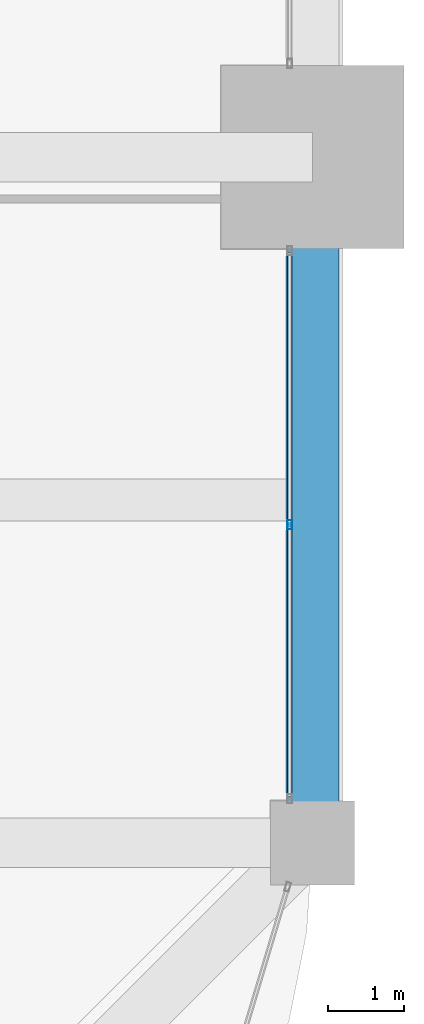
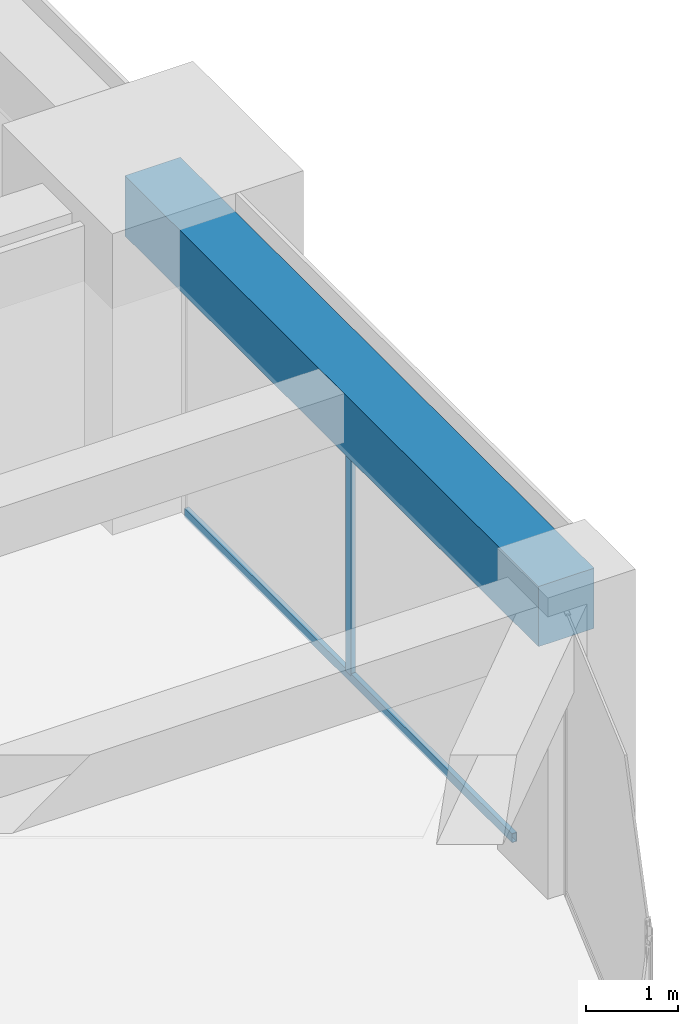
# One storey, part 23 of 45: 2 members, 1 beam, 1 element without a shape of its own.
"""IFC4 building model written with IfcOpenShell, lengths in metres."""

from ifc_helpers import new_model, si_unit, direction, frame, origin, origin_2d, place, context, subcontext, project, spatial, rectangle, hollow_rectangle, extrude, material, material_profile, profile_set, type_object, element, aggregate, save


model = new_model("IFC4")

# Units and contexts
model_context = context("Model", 3, precision=1e-05, world=origin(), true_north=direction((0.0, 1.0)))
body_context = subcontext(model_context, "Body", "Model", "MODEL_VIEW")
ifc_project = project(units=[si_unit("LENGTHUNIT", "METRE"), si_unit("AREAUNIT", "SQUARE_METRE"), si_unit("VOLUMEUNIT", "CUBIC_METRE"), si_unit("PLANEANGLEUNIT", "RADIAN"), si_unit("MASSUNIT", "GRAM", prefix="KILO")], contexts=[model_context])

# Site, building, storey
site_placement = place(None, origin())
site = spatial("IfcSite", under=ifc_project, at=site_placement, CompositionType="ELEMENT")
building_placement = place(site_placement, origin())
building = spatial("IfcBuilding", under=site, at=building_placement, Name="Zorevar Civic Tower", CompositionType="ELEMENT")
storey_placement = place(building_placement, frame((0.0, 0.0, 247.39990234375)))
storey = spatial("IfcBuildingStorey", under=building, at=storey_placement, Name="L60", CompositionType="ELEMENT", Elevation=247.39990234375)

# Curtain wall, members
ifc_material_1 = material(Name="Dark grey solar-control glass in black aluminium frame", Category="aluminium")
curtain_wall_type = type_object("IfcCurtainWallType", Name="Curtain wall CW5 top zone", PredefinedType="NOTDEFINED", material=ifc_material_1)
curtain_wall_placement = place(storey_placement, origin())
curtain_wall = element("IfcCurtainWall", 1, at=curtain_wall_placement, inside=storey, type_object=curtain_wall_type, Name="CW5 L60", PredefinedType="NOTDEFINED")
ifc_material_2 = material(Name="Aluminium, black anodised", Category="aluminium")
ifc_material_profile_1 = material_profile(ifc_material_2, hollow_rectangle(XDim=0.06005859375, YDim=0.1201171875, WallThickness=0.0029296875, at=origin_2d()), Name="AL 120x60x3")
ifc_profile_set_1 = profile_set([ifc_material_profile_1], Name="Aluminium, black anodised")
member_type_1 = type_object("IfcMemberType", Name="CW5 mullion AL 120x60x3", PredefinedType="MULLION", material=ifc_profile_set_1)
member_1_placement = place(storey_placement, frame((53.699951171875, 13.175048828125, 0.06005859375), z_axis=(0.0, 0.0, 1.0), x_axis=(-1.0, 0.0, 0.0)))
member_1 = element("IfcMember", 2, at=member_1_placement, type_object=member_type_1, Name="CW5 mullion 2", PredefinedType="MULLION", context=body_context, shape_type="SweptSolid", body=[
    extrude(hollow_rectangle(XDim=0.06005859375, YDim=0.1201171875, WallThickness=0.0029296875, at=origin_2d()), origin(), (0.0, 0.0, 1.0), 2.89013671875),
])
ifc_material_3 = material(Name="Aluminium, black anodised", Category="aluminium")
ifc_material_profile_2 = material_profile(ifc_material_3, hollow_rectangle(XDim=0.06005859375, YDim=0.1201171875, WallThickness=0.0029296875, at=origin_2d()), Name="AL 120x60x3")
ifc_profile_set_2 = profile_set([ifc_material_profile_2], Name="Aluminium, black anodised")
member_type_2 = type_object("IfcMemberType", Name="CW5 transom AL 120x60x3", PredefinedType="USERDEFINED", material=ifc_profile_set_2)
member_2_placement = place(storey_placement, frame((53.699951171875, 9.610107421875, 0.030029296875), z_axis=(0.0, 1.0, 0.0), x_axis=(-1.0, 0.0, 0.0)))
member_2 = element("IfcMember", 3, at=member_2_placement, type_object=member_type_2, Name="CW5 sill transom", ObjectType="TRANSOM", PredefinedType="USERDEFINED", context=body_context, shape_type="SweptSolid", body=[
    extrude(hollow_rectangle(XDim=0.06005859375, YDim=0.1201171875, WallThickness=0.0029296875, at=origin_2d()), origin(), (0.0, 0.0, 1.0), 7.1298828125),
])
aggregate(curtain_wall, [member_1, member_2])

# Beam
ifc_material_4 = material(Name="Concrete C50/60", Category="concrete")
ifc_material_profile_3 = material_profile(ifc_material_4, rectangle(XDim=0.699951171875, YDim=0.800048828125, at=origin_2d()), Name="RC 700x800")
ifc_profile_set_3 = profile_set([ifc_material_profile_3], Name="Concrete C50/60")
beam_type = type_object("IfcBeamType", Name="Edge beam RC 700x800", PredefinedType="SPANDREL", material=ifc_profile_set_3)
beam_placement = place(storey_placement, frame((54.0, 9.0, 3.35009765625), z_axis=(0.0, 1.0, 0.0), x_axis=(-1.0, 0.0, 0.0)))
element("IfcBeam", 4, at=beam_placement, inside=storey, type_object=beam_type, Name="Edge beam L61", PredefinedType="SPANDREL", context=body_context, shape_type="SweptSolid", body=[
    extrude(rectangle(XDim=0.699951171875, YDim=0.800048828125, at=origin_2d()), origin(), (0.0, 0.0, 1.0), 9.0),
])

save(model, "model.ifc")
